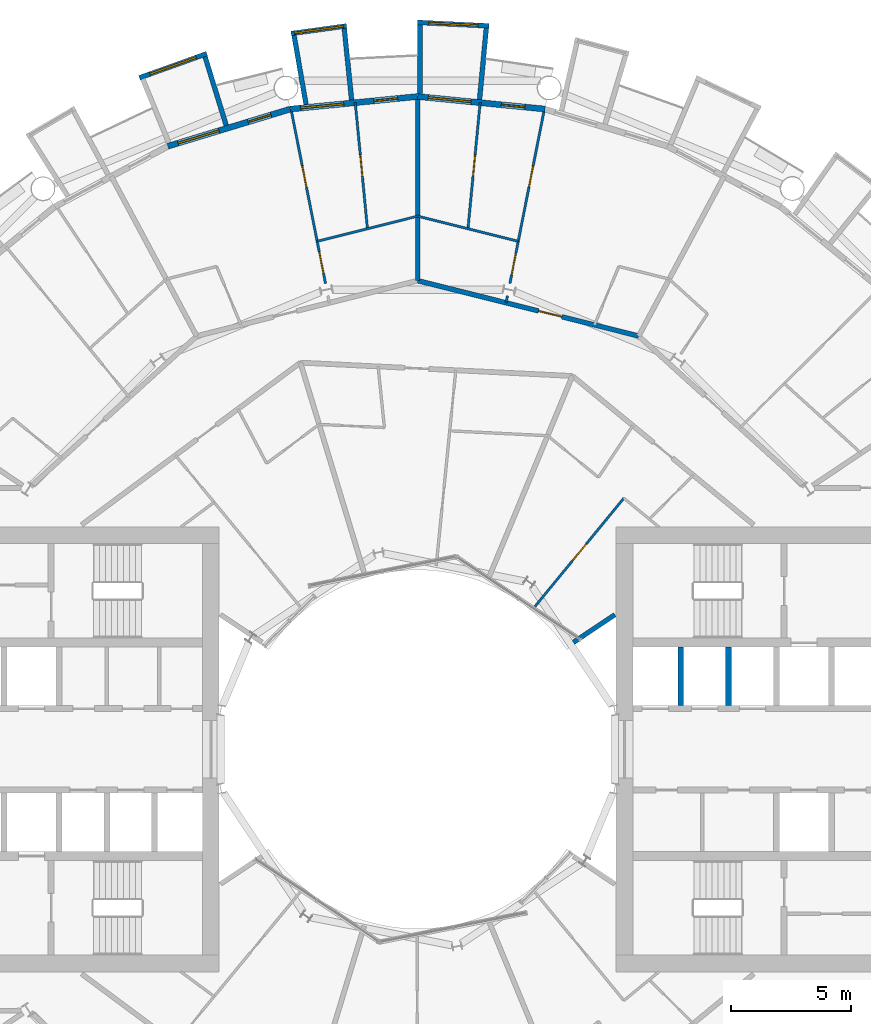
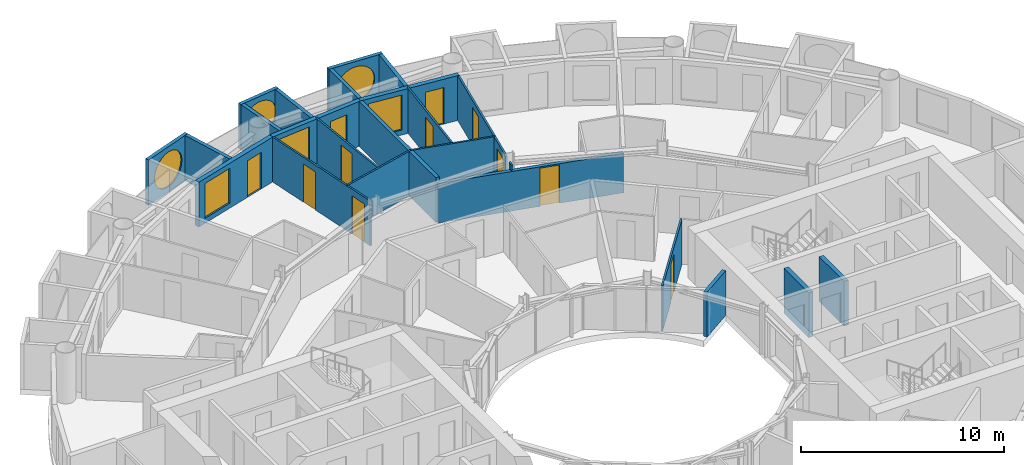
# One storey, part 20 of 26: 24 walls, 11 doors, 6 windows, 17 openings.
"""IFC4 building model written with IfcOpenShell, lengths in metres."""

from ifc_helpers import new_model, si_unit, direction, frame, frame_2d, origin, place, context, subcontext, project, spatial, rectangle, circle, extrude, material, layer, layer_set, type_object, element, fill, save


model = new_model("IFC4")

# Units and contexts
model_context = context("Model", 3, precision=1e-05, world=origin(), true_north=direction((0.0, 1.0)))
body_context = subcontext(model_context, "Body", "Model", "MODEL_VIEW")
ifc_project = project(units=[si_unit("LENGTHUNIT", "METRE"), si_unit("AREAUNIT", "SQUARE_METRE"), si_unit("VOLUMEUNIT", "CUBIC_METRE"), si_unit("PLANEANGLEUNIT", "RADIAN"), si_unit("MASSUNIT", "GRAM", prefix="KILO")], contexts=[model_context])

# Site, building, storey
site_placement = place(None, origin())
site = spatial("IfcSite", under=ifc_project, at=site_placement, CompositionType="ELEMENT")
building_placement = place(site_placement, origin())
building = spatial("IfcBuilding", under=site, at=building_placement, Name="Maasbend Ring Residences", CompositionType="ELEMENT")
storey_placement = place(building_placement, frame((0.0, 0.0, 84.949951171875)))
storey = spatial("IfcBuildingStorey", under=building, at=storey_placement, Name="L24", CompositionType="ELEMENT", Elevation=84.949951171875)

# Wall, opening, door
ifc_material_1 = material(Name="Concrete C30/37", Category="concrete")
ifc_layer_1 = layer(ifc_material_1, 0.199951171875)
ifc_layer_set_1 = layer_set([ifc_layer_1], Name="Concrete C30/37")
wall_type_1 = type_object("IfcWallType", Name="CORRIDOR WALL 200 CONCRETE", PredefinedType="PARTITIONING", material=ifc_layer_set_1)
wall_1_placement = place(storey_placement, frame((0.0, 19.60009765625, 0.0), z_axis=(0.0, 0.0, 1.0), x_axis=(0.970008158324, -0.243072361213, 0.0)))
wall_1 = element("IfcWall", 1, at=wall_1_placement, inside=storey, type_object=wall_type_1, Name="U-L24-w097", PredefinedType="PARTITIONING", context=body_context, shape_type="SweptSolid", body=[
    extrude(rectangle(XDim=9.524658203125, YDim=0.199951171875, at=frame_2d((4.76220703125, 0.0))), origin(), (0.0, 0.0, 1.0), 2.380126953125),
])
opening_1_placement = place(wall_1_placement, frame((5.212890625, 0.0, 0.0)))
opening_1 = element("IfcOpeningElement", 2, at=opening_1_placement, cuts=wall_1, Name="Opening D-2406", PredefinedType="OPENING", context=body_context, shape_type="SweptSolid", body=[
    extrude(rectangle(XDim=1.0, YDim=2.300048828125, at=frame_2d((0.5, 1.14990234375))), frame((0.0, 0.10986328125, 0.0), z_axis=(0.0, -1.0, 0.0), x_axis=(1.0, 0.0, 0.0)), (0.0, 0.0, 1.0), 0.219970703125),
])
ifc_material_2 = material(Name="Timber, fire-rated, painted", Category="wood")
door_type_1 = type_object("IfcDoorType", Name="FLAT ENTRANCE DOOR 1000 X 2300 FIRE-RATED", OperationType="NOTDEFINED", PredefinedType="DOOR", material=ifc_material_2)
door_1_placement = place(opening_1_placement, origin())
door_1 = element("IfcDoor", 3, at=door_1_placement, inside=storey, type_object=door_type_1, Name="D-2406", OperationType="SINGLE_SWING_RIGHT", OverallHeight=2.300048828125, OverallWidth=1.0, PredefinedType="DOOR", context=body_context, shape_type="SweptSolid", body=[
    extrude(rectangle(XDim=1.0, YDim=2.300048828125, at=frame_2d((0.5, 1.14990234375))), frame((0.0, 0.02490234375, 0.0), z_axis=(0.0, -1.0, 0.0), x_axis=(1.0, 0.0, 0.0)), (0.0, 0.0, 1.0), 0.050048828125),
])
fill(opening_1, door_1)

# Wall, opening, window
ifc_material_3 = material(Name="Pale anodised aluminium panel", Category="aluminium")
ifc_layer_2 = layer(ifc_material_3, 0.199951171875)
ifc_layer_set_2 = layer_set([ifc_layer_2], Name="EW-BOX")
wall_type_2 = type_object("IfcWallType", Name="EW-BOX", PredefinedType="SOLIDWALL", material=ifc_layer_set_2)
wall_2_placement = place(storey_placement, frame((2.985107421875, 30.2529296875, -0.030029296875), z_axis=(0.0, 0.0, 1.0), x_axis=(-0.998794083011, 0.049095618353, 0.0)))
wall_2 = element("IfcWall", 4, at=wall_2_placement, inside=storey, type_object=wall_type_2, Name="Box front N10", PredefinedType="SOLIDWALL", context=body_context, shape_type="SweptSolid", body=[
    extrude(rectangle(XDim=2.99365234375, YDim=0.199951171875, at=frame_2d((1.496826171875, 0.0))), origin(), (0.0, 0.0, 1.0), 2.72998046875),
])
opening_2_placement = place(wall_2_placement, frame((0.45654296875, 0.0, 0.330078125)))
opening_2 = element("IfcOpeningElement", 5, at=opening_2_placement, cuts=wall_2, Name="Opening W-RD", PredefinedType="OPENING", context=body_context, shape_type="SweptSolid", body=[
    extrude(circle(Radius=1.0400390625, at=frame_2d((1.0400390625, 1.0400390625))), frame((0.0, 0.10986328125, 0.0), z_axis=(0.0, -1.0, 0.0), x_axis=(1.0, 0.0, 0.0)), (0.0, 0.0, 1.0), 0.219970703125),
])
ifc_material_4 = material(Name="Aluminium and clear glass", Category="aluminium")
window_type_1 = type_object("IfcWindowType", Name="W-RD", PartitioningType="SINGLE_PANEL", PredefinedType="WINDOW", material=ifc_material_4)
window_1_placement = place(opening_2_placement, origin())
window_1 = element("IfcWindow", 6, at=window_1_placement, inside=storey, type_object=window_type_1, Name="Round window N10", OverallHeight=2.080078125, OverallWidth=2.080078125, PartitioningType="SINGLE_PANEL", PredefinedType="WINDOW", context=body_context, shape_type="SweptSolid", body=[
    extrude(circle(Radius=1.0400390625, at=frame_2d((1.0400390625, 1.0400390625))), frame((0.0, 0.030029296875, 0.0), z_axis=(0.0, -1.0, 0.0), x_axis=(1.0, 0.0, 0.0)), (0.0, 0.0, 1.0), 0.06005859375),
])
fill(opening_2, window_1)

# Walls
wall_3_placement = place(storey_placement, frame((2.5859375, 27.1708984375, -0.030029296875), z_axis=(0.0, 0.0, 1.0), x_axis=(0.094548432284, 0.995520262954, 0.0)))
element("IfcWall", 7, at=wall_3_placement, inside=storey, type_object=wall_type_2, Name="Box side wall N10 left", PredefinedType="SOLIDWALL", context=body_context, shape_type="SweptSolid", body=[
    extrude(rectangle(XDim=3.005615234375, YDim=0.199951171875, at=frame_2d((1.5029296875, 0.0))), origin(), (0.0, 0.0, 1.0), 2.72998046875),
])
wall_4_placement = place(storey_placement, frame((0.090087890625, 27.4169921875, -0.030029296875), z_axis=(0.0, 0.0, 1.0), x_axis=(0.00347308367, 0.999993968827, 0.0)))
element("IfcWall", 8, at=wall_4_placement, inside=storey, type_object=wall_type_2, Name="Box side wall N10 right", PredefinedType="SOLIDWALL", context=body_context, shape_type="SweptSolid", body=[
    extrude(rectangle(XDim=2.882080078125, YDim=0.199951171875, at=frame_2d((1.44091796875, 0.0))), origin(), (0.0, 0.0, 1.0), 2.72998046875),
])

# Wall, opening, window
wall_5_placement = place(storey_placement, frame((-2.97607421875, 30.25390625, -0.030029296875), z_axis=(0.0, 0.0, 1.0), x_axis=(-0.990696111261, -0.136092671119, 0.0)))
wall_5 = element("IfcWall", 9, at=wall_5_placement, inside=storey, type_object=wall_type_2, Name="Box front N12", PredefinedType="SOLIDWALL", context=body_context, shape_type="SweptSolid", body=[
    extrude(rectangle(XDim=2.335693359375, YDim=0.199951171875, at=frame_2d((1.16796875, 0.0))), origin(), (0.0, 0.0, 1.0), 2.72998046875),
])
opening_3_placement = place(wall_5_placement, frame((0.128173828125, 0.0, 0.330078125)))
opening_3 = element("IfcOpeningElement", 10, at=opening_3_placement, cuts=wall_5, Name="Opening W-RD", PredefinedType="OPENING", context=body_context, shape_type="SweptSolid", body=[
    extrude(circle(Radius=1.0400390625, at=frame_2d((1.0400390625, 1.0400390625))), frame((0.0, 0.10986328125, 0.0), z_axis=(0.0, -1.0, 0.0), x_axis=(1.0, 0.0, 0.0)), (0.0, 0.0, 1.0), 0.219970703125),
])
window_2_placement = place(opening_3_placement, origin())
window_2 = element("IfcWindow", 11, at=window_2_placement, inside=storey, type_object=window_type_1, Name="Round window N12", OverallHeight=2.080078125, OverallWidth=2.080078125, PartitioningType="SINGLE_PANEL", PredefinedType="WINDOW", context=body_context, shape_type="SweptSolid", body=[
    extrude(circle(Radius=1.0400390625, at=frame_2d((1.0400390625, 1.0400390625))), frame((0.0, 0.030029296875, 0.0), z_axis=(0.0, -1.0, 0.0), x_axis=(1.0, 0.0, 0.0)), (0.0, 0.0, 1.0), 0.06005859375),
])
fill(opening_3, window_2)

# Walls
wall_6_placement = place(storey_placement, frame((-2.763916015625, 27.153076171875, -0.030029296875), z_axis=(0.0, 0.0, 1.0), x_axis=(-0.101505487237, 0.994834979311, 0.0)))
element("IfcWall", 12, at=wall_6_placement, inside=storey, type_object=wall_type_2, Name="Box side wall N12 left", PredefinedType="SOLIDWALL", context=body_context, shape_type="SweptSolid", body=[
    extrude(rectangle(XDim=3.006591796875, YDim=0.199951171875, at=frame_2d((1.50341796875, 0.0))), origin(), (0.0, 0.0, 1.0), 2.72998046875),
])
wall_7_placement = place(storey_placement, frame((-4.6708984375, 26.966064453125, -0.030029296875), z_axis=(0.0, 0.0, 1.0), x_axis=(-0.170539878907, 0.985350774954, 0.0)))
element("IfcWall", 13, at=wall_7_placement, inside=storey, type_object=wall_type_2, Name="Box side wall N12 right", PredefinedType="SOLIDWALL", context=body_context, shape_type="SweptSolid", body=[
    extrude(rectangle(XDim=2.931884765625, YDim=0.199951171875, at=frame_2d((1.4658203125, 0.0))), origin(), (0.0, 0.0, 1.0), 2.72998046875),
])

# Wall, opening, window
wall_8_placement = place(storey_placement, frame((-8.820068359375, 29.093017578125, -0.030029296875), z_axis=(0.0, 0.0, 1.0), x_axis=(-0.941461077774, -0.337121697664, 0.0)))
wall_8 = element("IfcWall", 14, at=wall_8_placement, inside=storey, type_object=wall_type_2, Name="Box front N14", PredefinedType="SOLIDWALL", context=body_context, shape_type="SweptSolid", body=[
    extrude(rectangle(XDim=2.9931640625, YDim=0.199951171875, at=frame_2d((1.49658203125, 0.0))), origin(), (0.0, 0.0, 1.0), 2.72998046875),
])
opening_4_placement = place(wall_8_placement, frame((0.45654296875, 0.0, 0.330078125)))
opening_4 = element("IfcOpeningElement", 15, at=opening_4_placement, cuts=wall_8, Name="Opening W-RD", PredefinedType="OPENING", context=body_context, shape_type="SweptSolid", body=[
    extrude(circle(Radius=1.0400390625, at=frame_2d((1.0400390625, 1.0400390625))), frame((0.0, 0.10986328125, 0.0), z_axis=(0.0, -1.0, 0.0), x_axis=(1.0, 0.0, 0.0)), (0.0, 0.0, 1.0), 0.219970703125),
])
window_3_placement = place(opening_4_placement, origin())
window_3 = element("IfcWindow", 16, at=window_3_placement, inside=storey, type_object=window_type_1, Name="Round window N14", OverallHeight=2.080078125, OverallWidth=2.080078125, PartitioningType="SINGLE_PANEL", PredefinedType="WINDOW", context=body_context, shape_type="SweptSolid", body=[
    extrude(circle(Radius=1.0400390625, at=frame_2d((1.0400390625, 1.0400390625))), frame((0.0, 0.030029296875, 0.0), z_axis=(0.0, -1.0, 0.0), x_axis=(1.0, 0.0, 0.0)), (0.0, 0.0, 1.0), 0.06005859375),
])
fill(opening_4, window_3)

# Wall
wall_9_placement = place(storey_placement, frame((-8.009033203125, 26.092041015625, -0.030029296875), z_axis=(0.0, 0.0, 1.0), x_axis=(-0.293406695073, 0.955987715029, 0.0)))
element("IfcWall", 17, at=wall_9_placement, inside=storey, type_object=wall_type_2, Name="Box side wall N14 left", PredefinedType="SOLIDWALL", context=body_context, shape_type="SweptSolid", body=[
    extrude(rectangle(XDim=3.00634765625, YDim=0.199951171875, at=frame_2d((1.503173828125, 0.0))), origin(), (0.0, 0.0, 1.0), 2.72998046875),
])

# Wall, openings, door, window
ifc_material_5 = material(Name="Aluminium clad insulated panel", Category="aluminium")
ifc_layer_3 = layer(ifc_material_5, 0.25)
ifc_layer_set_3 = layer_set([ifc_layer_3], Name="EW-GL")
wall_type_3 = type_object("IfcWallType", Name="EW-GL", PredefinedType="SOLIDWALL", material=ifc_layer_set_3)
wall_10_placement = place(storey_placement, frame((5.325927734375, 26.77490234375, 0.0), z_axis=(0.0, 0.0, 1.0), x_axis=(-0.995173996315, 0.098126026407, 0.0)))
wall_10 = element("IfcWall", 18, at=wall_10_placement, inside=storey, type_object=wall_type_3, Name="External wall N05", PredefinedType="SOLIDWALL", context=body_context, shape_type="SweptSolid", body=[
    extrude(rectangle(XDim=5.351806640625, YDim=0.25, at=frame_2d((2.67578125, 0.0))), origin(), (0.0, 0.0, 1.0), 2.699951171875),
])
opening_5_placement = place(wall_10_placement, frame((0.841064453125, 0.0, 0.0)))
opening_5 = element("IfcOpeningElement", 19, at=opening_5_placement, cuts=wall_10, Name="Opening D-LG", PredefinedType="OPENING", context=body_context, shape_type="SweptSolid", body=[
    extrude(rectangle(XDim=1.0, YDim=2.199951171875, at=frame_2d((0.5, 1.10009765625))), frame((0.0, 0.135009765625, 0.0), z_axis=(0.0, -1.0, 0.0), x_axis=(1.0, 0.0, 0.0)), (0.0, 0.0, 1.0), 0.27001953125),
])
opening_6_placement = place(wall_10_placement, frame((3.110595703125, 0.0, 0.300048828125)))
opening_6 = element("IfcOpeningElement", 20, at=opening_6_placement, cuts=wall_10, Name="Opening W-BX", PredefinedType="OPENING", context=body_context, shape_type="SweptSolid", body=[
    extrude(rectangle(XDim=1.800048828125, YDim=2.10009765625, at=frame_2d((0.89990234375, 1.050048828125))), frame((0.0, 0.135009765625, 0.0), z_axis=(0.0, -1.0, 0.0), x_axis=(1.0, 0.0, 0.0)), (0.0, 0.0, 1.0), 0.27001953125),
])
ifc_material_6 = material(Name="Aluminium and clear glass", Category="aluminium")
door_type_2 = type_object("IfcDoorType", Name="D-LG", OperationType="SINGLE_SWING_LEFT", PredefinedType="DOOR", material=ifc_material_6)
door_2_placement = place(opening_5_placement, origin())
door_2 = element("IfcDoor", 21, at=door_2_placement, inside=storey, type_object=door_type_2, Name="Loggia door N09", OperationType="SINGLE_SWING_LEFT", OverallHeight=2.199951171875, OverallWidth=1.0, PredefinedType="DOOR", context=body_context, shape_type="SweptSolid", body=[
    extrude(rectangle(XDim=1.0, YDim=2.199951171875, at=frame_2d((0.5, 1.10009765625))), frame((0.0, 0.02490234375, 0.0), z_axis=(0.0, -1.0, 0.0), x_axis=(1.0, 0.0, 0.0)), (0.0, 0.0, 1.0), 0.050048828125),
])
fill(opening_5, door_2)
ifc_material_7 = material(Name="Aluminium and clear glass", Category="aluminium")
window_type_2 = type_object("IfcWindowType", Name="W-BX", PartitioningType="DOUBLE_PANEL_VERTICAL", PredefinedType="WINDOW", material=ifc_material_7)
window_4_placement = place(opening_6_placement, origin())
window_4 = element("IfcWindow", 22, at=window_4_placement, inside=storey, type_object=window_type_2, Name="Window N10 room to box", OverallHeight=2.10009765625, OverallWidth=1.800048828125, PartitioningType="SINGLE_PANEL", PredefinedType="WINDOW", context=body_context, shape_type="SweptSolid", body=[
    extrude(rectangle(XDim=1.800048828125, YDim=2.10009765625, at=frame_2d((0.89990234375, 1.050048828125))), frame((0.0, 0.030029296875, 0.0), z_axis=(0.0, -1.0, 0.0), x_axis=(1.0, 0.0, 0.0)), (0.0, 0.0, 1.0), 0.06005859375),
])
fill(opening_6, window_4)

wall_11_placement = place(storey_placement, frame((0.0, 27.300048828125, 0.0), z_axis=(0.0, 0.0, 1.0), x_axis=(-0.995173996315, -0.098126026407, 0.0)))
wall_11 = element("IfcWall", 23, at=wall_11_placement, inside=storey, type_object=wall_type_3, Name="External wall N06", PredefinedType="SOLIDWALL", context=body_context, shape_type="SweptSolid", body=[
    extrude(rectangle(XDim=5.351806640625, YDim=0.25, at=frame_2d((2.67578125, 0.0))), origin(), (0.0, 0.0, 1.0), 2.699951171875),
])
opening_7_placement = place(wall_11_placement, frame((0.841064453125, 0.0, 0.0)))
opening_7 = element("IfcOpeningElement", 24, at=opening_7_placement, cuts=wall_11, Name="Opening D-LG", PredefinedType="OPENING", context=body_context, shape_type="SweptSolid", body=[
    extrude(rectangle(XDim=1.0, YDim=2.199951171875, at=frame_2d((0.5, 1.10009765625))), frame((0.0, 0.135009765625, 0.0), z_axis=(0.0, -1.0, 0.0), x_axis=(1.0, 0.0, 0.0)), (0.0, 0.0, 1.0), 0.27001953125),
])
opening_8_placement = place(wall_11_placement, frame((3.110595703125, 0.0, 0.300048828125)))
opening_8 = element("IfcOpeningElement", 25, at=opening_8_placement, cuts=wall_11, Name="Opening W-BX", PredefinedType="OPENING", context=body_context, shape_type="SweptSolid", body=[
    extrude(rectangle(XDim=1.800048828125, YDim=2.10009765625, at=frame_2d((0.89990234375, 1.050048828125))), frame((0.0, 0.135009765625, 0.0), z_axis=(0.0, -1.0, 0.0), x_axis=(1.0, 0.0, 0.0)), (0.0, 0.0, 1.0), 0.27001953125),
])
door_3_placement = place(opening_7_placement, origin())
door_3 = element("IfcDoor", 26, at=door_3_placement, inside=storey, type_object=door_type_2, Name="Loggia door N11", OperationType="SINGLE_SWING_LEFT", OverallHeight=2.199951171875, OverallWidth=1.0, PredefinedType="DOOR", context=body_context, shape_type="SweptSolid", body=[
    extrude(rectangle(XDim=1.0, YDim=2.199951171875, at=frame_2d((0.5, 1.10009765625))), frame((0.0, 0.02490234375, 0.0), z_axis=(0.0, -1.0, 0.0), x_axis=(1.0, 0.0, 0.0)), (0.0, 0.0, 1.0), 0.050048828125),
])
fill(opening_7, door_3)
window_5_placement = place(opening_8_placement, origin())
window_5 = element("IfcWindow", 27, at=window_5_placement, inside=storey, type_object=window_type_2, Name="Window N12 room to box", OverallHeight=2.10009765625, OverallWidth=1.800048828125, PartitioningType="SINGLE_PANEL", PredefinedType="WINDOW", context=body_context, shape_type="SweptSolid", body=[
    extrude(rectangle(XDim=1.800048828125, YDim=2.10009765625, at=frame_2d((0.89990234375, 1.050048828125))), frame((0.0, 0.030029296875, 0.0), z_axis=(0.0, -1.0, 0.0), x_axis=(1.0, 0.0, 0.0)), (0.0, 0.0, 1.0), 0.06005859375),
])
fill(opening_8, window_5)

wall_12_placement = place(storey_placement, frame((-5.325927734375, 26.77490234375, 0.0), z_axis=(0.0, 0.0, 1.0), x_axis=(-0.956965678721, -0.290201119486, 0.0)))
wall_12 = element("IfcWall", 28, at=wall_12_placement, inside=storey, type_object=wall_type_3, Name="External wall N07", PredefinedType="SOLIDWALL", context=body_context, shape_type="SweptSolid", body=[
    extrude(rectangle(XDim=5.351318359375, YDim=0.25, at=frame_2d((2.67578125, 0.0))), origin(), (0.0, 0.0, 1.0), 2.699951171875),
])
opening_9_placement = place(wall_12_placement, frame((0.841064453125, 0.0, 0.0)))
opening_9 = element("IfcOpeningElement", 29, at=opening_9_placement, cuts=wall_12, Name="Opening D-LG", PredefinedType="OPENING", context=body_context, shape_type="SweptSolid", body=[
    extrude(rectangle(XDim=1.0, YDim=2.199951171875, at=frame_2d((0.5, 1.10009765625))), frame((0.0, 0.135009765625, 0.0), z_axis=(0.0, -1.0, 0.0), x_axis=(1.0, 0.0, 0.0)), (0.0, 0.0, 1.0), 0.27001953125),
])
opening_10_placement = place(wall_12_placement, frame((3.110595703125, 0.0, 0.300048828125)))
opening_10 = element("IfcOpeningElement", 30, at=opening_10_placement, cuts=wall_12, Name="Opening W-BX", PredefinedType="OPENING", context=body_context, shape_type="SweptSolid", body=[
    extrude(rectangle(XDim=1.800048828125, YDim=2.10009765625, at=frame_2d((0.89990234375, 1.050048828125))), frame((0.0, 0.135009765625, 0.0), z_axis=(0.0, -1.0, 0.0), x_axis=(1.0, 0.0, 0.0)), (0.0, 0.0, 1.0), 0.27001953125),
])
door_4_placement = place(opening_9_placement, origin())
door_4 = element("IfcDoor", 31, at=door_4_placement, inside=storey, type_object=door_type_2, Name="Loggia door N13", OperationType="SINGLE_SWING_LEFT", OverallHeight=2.199951171875, OverallWidth=1.0, PredefinedType="DOOR", context=body_context, shape_type="SweptSolid", body=[
    extrude(rectangle(XDim=1.0, YDim=2.199951171875, at=frame_2d((0.5, 1.10009765625))), frame((0.0, 0.02490234375, 0.0), z_axis=(0.0, -1.0, 0.0), x_axis=(1.0, 0.0, 0.0)), (0.0, 0.0, 1.0), 0.050048828125),
])
fill(opening_9, door_4)
window_6_placement = place(opening_10_placement, origin())
window_6 = element("IfcWindow", 32, at=window_6_placement, inside=storey, type_object=window_type_2, Name="Window N14 room to box", OverallHeight=2.10009765625, OverallWidth=1.800048828125, PartitioningType="SINGLE_PANEL", PredefinedType="WINDOW", context=body_context, shape_type="SweptSolid", body=[
    extrude(rectangle(XDim=1.800048828125, YDim=2.10009765625, at=frame_2d((0.89990234375, 1.050048828125))), frame((0.0, 0.030029296875, 0.0), z_axis=(0.0, -1.0, 0.0), x_axis=(1.0, 0.0, 0.0)), (0.0, 0.0, 1.0), 0.06005859375),
])
fill(opening_10, window_6)

# Wall, openings, doors
ifc_material_8 = material(Name="Gypsum board on steel studs", Category="steel")
ifc_layer_4 = layer(ifc_material_8, 0.10009765625)
ifc_layer_set_4 = layer_set([ifc_layer_4], Name="PARTITION 100 GYPSUM")
wall_type_4 = type_object("IfcWallType", Name="PARTITION 100 GYPSUM", PredefinedType="PARTITIONING", material=ifc_layer_set_4)
wall_13_placement = place(storey_placement, frame((-5.27490234375, 26.657958984375, 0.0), z_axis=(0.0, 0.0, 1.0), x_axis=(0.194029176446, -0.980995758751, 0.0)))
wall_13 = element("IfcWall", 33, at=wall_13_placement, inside=storey, type_object=wall_type_4, Name="U-L24-w045", PredefinedType="PARTITIONING", context=body_context, shape_type="SweptSolid", body=[
    extrude(rectangle(XDim=7.31298828125, YDim=0.10009765625, at=frame_2d((3.656494140625, 0.0))), origin(), (0.0, 0.0, 1.0), 2.699951171875),
])
opening_11_placement = place(wall_13_placement, frame((5.966064453125, 0.0, 0.0)))
opening_11 = element("IfcOpeningElement", 34, at=opening_11_placement, cuts=wall_13, Name="Opening D-2413", PredefinedType="OPENING", context=body_context, shape_type="SweptSolid", body=[
    extrude(rectangle(XDim=0.89990234375, YDim=2.300048828125, at=frame_2d((0.449951171875, 1.14990234375))), frame((0.0, 0.06005859375, 0.0), z_axis=(0.0, -1.0, 0.0), x_axis=(1.0, 0.0, 0.0)), (0.0, 0.0, 1.0), 0.1201171875),
])
opening_12_placement = place(wall_13_placement, frame((2.306884765625, 0.0, 0.0)))
opening_12 = element("IfcOpeningElement", 35, at=opening_12_placement, cuts=wall_13, Name="Opening D-2414", PredefinedType="OPENING", context=body_context, shape_type="SweptSolid", body=[
    extrude(rectangle(XDim=0.89990234375, YDim=2.300048828125, at=frame_2d((0.449951171875, 1.14990234375))), frame((0.0, 0.06005859375, 0.0), z_axis=(0.0, -1.0, 0.0), x_axis=(1.0, 0.0, 0.0)), (0.0, 0.0, 1.0), 0.1201171875),
])
ifc_material_9 = material(Name="Timber, painted", Category="wood")
door_type_3 = type_object("IfcDoorType", Name="INTERNAL DOOR 900 X 2300", OperationType="NOTDEFINED", PredefinedType="DOOR", material=ifc_material_9)
door_5_placement = place(opening_11_placement, origin())
door_5 = element("IfcDoor", 36, at=door_5_placement, inside=storey, type_object=door_type_3, Name="D-2413", OperationType="SINGLE_SWING_RIGHT", OverallHeight=2.300048828125, OverallWidth=0.89990234375, PredefinedType="DOOR", context=body_context, shape_type="SweptSolid", body=[
    extrude(rectangle(XDim=0.89990234375, YDim=2.300048828125, at=frame_2d((0.449951171875, 1.14990234375))), frame((0.0, 0.02490234375, 0.0), z_axis=(0.0, -1.0, 0.0), x_axis=(1.0, 0.0, 0.0)), (0.0, 0.0, 1.0), 0.050048828125),
])
fill(opening_11, door_5)
door_6_placement = place(opening_12_placement, origin())
door_6 = element("IfcDoor", 37, at=door_6_placement, inside=storey, type_object=door_type_3, Name="D-2414", OperationType="SINGLE_SWING_LEFT", OverallHeight=2.300048828125, OverallWidth=0.89990234375, PredefinedType="DOOR", context=body_context, shape_type="SweptSolid", body=[
    extrude(rectangle(XDim=0.89990234375, YDim=2.300048828125, at=frame_2d((0.449951171875, 1.14990234375))), frame((0.0, 0.02490234375, 0.0), z_axis=(0.0, -1.0, 0.0), x_axis=(1.0, 0.0, 0.0)), (0.0, 0.0, 1.0), 0.050048828125),
])
fill(opening_12, door_6)

# Wall, opening, door
wall_14_placement = place(storey_placement, frame((-2.612060546875, 27.049072265625, 0.0), z_axis=(0.0, 0.0, 1.0), x_axis=(0.096215269366, -0.995360548716, 0.0)))
wall_14 = element("IfcWall", 38, at=wall_14_placement, inside=storey, type_object=wall_type_4, Name="U-L24-w049", PredefinedType="PARTITIONING", context=body_context, shape_type="SweptSolid", body=[
    extrude(rectangle(XDim=5.30078125, YDim=0.10009765625, at=frame_2d((2.650390625, 0.0))), origin(), (0.0, 0.0, 1.0), 2.699951171875),
])
opening_13_placement = place(wall_14_placement, frame((2.199951171875, 0.0, 0.0)))
opening_13 = element("IfcOpeningElement", 39, at=opening_13_placement, cuts=wall_14, Name="Opening D-2415", PredefinedType="OPENING", context=body_context, shape_type="SweptSolid", body=[
    extrude(rectangle(XDim=0.89990234375, YDim=2.300048828125, at=frame_2d((0.449951171875, 1.14990234375))), frame((0.0, 0.06005859375, 0.0), z_axis=(0.0, -1.0, 0.0), x_axis=(1.0, 0.0, 0.0)), (0.0, 0.0, 1.0), 0.1201171875),
])
door_7_placement = place(opening_13_placement, origin())
door_7 = element("IfcDoor", 40, at=door_7_placement, inside=storey, type_object=door_type_3, Name="D-2415", OperationType="SINGLE_SWING_LEFT", OverallHeight=2.300048828125, OverallWidth=0.89990234375, PredefinedType="DOOR", context=body_context, shape_type="SweptSolid", body=[
    extrude(rectangle(XDim=0.89990234375, YDim=2.300048828125, at=frame_2d((0.449951171875, 1.14990234375))), frame((0.0, 0.02490234375, 0.0), z_axis=(0.0, -1.0, 0.0), x_axis=(1.0, 0.0, 0.0)), (0.0, 0.0, 1.0), 0.050048828125),
])
fill(opening_13, door_7)

wall_15_placement = place(storey_placement, frame((2.10205078125, 21.77294921875, 0.0), z_axis=(0.0, 0.0, 1.0), x_axis=(0.096215269366, 0.995360548716, 0.0)))
wall_15 = element("IfcWall", 41, at=wall_15_placement, inside=storey, type_object=wall_type_4, Name="U-L24-w057", PredefinedType="PARTITIONING", context=body_context, shape_type="SweptSolid", body=[
    extrude(rectangle(XDim=5.30078125, YDim=0.10009765625, at=frame_2d((2.650390625, 0.0))), origin(), (0.0, 0.0, 1.0), 2.699951171875),
])
opening_14_placement = place(wall_15_placement, frame((2.199951171875, 0.0, 0.0)))
opening_14 = element("IfcOpeningElement", 42, at=opening_14_placement, cuts=wall_15, Name="Opening D-2410", PredefinedType="OPENING", context=body_context, shape_type="SweptSolid", body=[
    extrude(rectangle(XDim=0.89990234375, YDim=2.300048828125, at=frame_2d((0.449951171875, 1.14990234375))), frame((0.0, 0.06005859375, 0.0), z_axis=(0.0, -1.0, 0.0), x_axis=(1.0, 0.0, 0.0)), (0.0, 0.0, 1.0), 0.1201171875),
])
door_8_placement = place(opening_14_placement, origin())
door_8 = element("IfcDoor", 43, at=door_8_placement, inside=storey, type_object=door_type_3, Name="D-2410", OperationType="SINGLE_SWING_RIGHT", OverallHeight=2.300048828125, OverallWidth=0.89990234375, PredefinedType="DOOR", context=body_context, shape_type="SweptSolid", body=[
    extrude(rectangle(XDim=0.89990234375, YDim=2.300048828125, at=frame_2d((0.449951171875, 1.14990234375))), frame((0.0, 0.02490234375, 0.0), z_axis=(0.0, -1.0, 0.0), x_axis=(1.0, 0.0, 0.0)), (0.0, 0.0, 1.0), 0.050048828125),
])
fill(opening_14, door_8)

# Wall
wall_16_placement = place(storey_placement, frame((3.696044921875, 18.674072265625, 0.0), z_axis=(0.0, 0.0, 1.0), x_axis=(0.19502665362, 0.980797942686, 0.0)))
element("IfcWall", 44, at=wall_16_placement, inside=storey, type_object=wall_type_4, Name="U-L24-w061", PredefinedType="PARTITIONING", context=body_context, shape_type="SweptSolid", body=[
    extrude(rectangle(XDim=0.3017578125, YDim=0.10009765625, at=frame_2d((0.15087890625, 0.0))), origin(), (0.0, 0.0, 1.0), 2.699951171875),
])

# Wall, openings, doors
wall_17_placement = place(storey_placement, frame((3.85595703125, 19.48388671875, 0.0), z_axis=(0.0, 0.0, 1.0), x_axis=(0.193900661819, 0.981021168654, 0.0)))
wall_17 = element("IfcWall", 45, at=wall_17_placement, inside=storey, type_object=wall_type_4, Name="U-L24-w062", PredefinedType="PARTITIONING", context=body_context, shape_type="SweptSolid", body=[
    extrude(rectangle(XDim=7.312744140625, YDim=0.10009765625, at=frame_2d((3.65625, 0.0))), origin(), (0.0, 0.0, 1.0), 2.699951171875),
])
opening_15_placement = place(wall_17_placement, frame((0.3740234375, 0.0, 0.0)))
opening_15 = element("IfcOpeningElement", 46, at=opening_15_placement, cuts=wall_17, Name="Opening D-2408", PredefinedType="OPENING", context=body_context, shape_type="SweptSolid", body=[
    extrude(rectangle(XDim=0.89990234375, YDim=2.300048828125, at=frame_2d((0.449951171875, 1.14990234375))), frame((0.0, 0.06005859375, 0.0), z_axis=(0.0, -1.0, 0.0), x_axis=(1.0, 0.0, 0.0)), (0.0, 0.0, 1.0), 0.1201171875),
])
opening_16_placement = place(wall_17_placement, frame((4.10498046875, 0.0, 0.0)))
opening_16 = element("IfcOpeningElement", 47, at=opening_16_placement, cuts=wall_17, Name="Opening D-2409", PredefinedType="OPENING", context=body_context, shape_type="SweptSolid", body=[
    extrude(rectangle(XDim=0.89990234375, YDim=2.300048828125, at=frame_2d((0.449951171875, 1.14990234375))), frame((0.0, 0.06005859375, 0.0), z_axis=(0.0, -1.0, 0.0), x_axis=(1.0, 0.0, 0.0)), (0.0, 0.0, 1.0), 0.1201171875),
])
door_9_placement = place(opening_15_placement, origin())
door_9 = element("IfcDoor", 48, at=door_9_placement, inside=storey, type_object=door_type_3, Name="D-2408", OperationType="SINGLE_SWING_LEFT", OverallHeight=2.300048828125, OverallWidth=0.89990234375, PredefinedType="DOOR", context=body_context, shape_type="SweptSolid", body=[
    extrude(rectangle(XDim=0.89990234375, YDim=2.300048828125, at=frame_2d((0.449951171875, 1.14990234375))), frame((0.0, 0.02490234375, 0.0), z_axis=(0.0, -1.0, 0.0), x_axis=(1.0, 0.0, 0.0)), (0.0, 0.0, 1.0), 0.050048828125),
])
fill(opening_15, door_9)
door_10_placement = place(opening_16_placement, origin())
door_10 = element("IfcDoor", 49, at=door_10_placement, inside=storey, type_object=door_type_3, Name="D-2409", OperationType="SINGLE_SWING_RIGHT", OverallHeight=2.300048828125, OverallWidth=0.89990234375, PredefinedType="DOOR", context=body_context, shape_type="SweptSolid", body=[
    extrude(rectangle(XDim=0.89990234375, YDim=2.300048828125, at=frame_2d((0.449951171875, 1.14990234375))), frame((0.0, 0.02490234375, 0.0), z_axis=(0.0, -1.0, 0.0), x_axis=(1.0, 0.0, 0.0)), (0.0, 0.0, 1.0), 0.050048828125),
])
fill(opening_16, door_10)

# Wall, opening, door
wall_18_placement = place(storey_placement, frame((4.89794921875, 5.968017578125, 0.0), z_axis=(0.0, 0.0, 1.0), x_axis=(0.634358693064, 0.773038840249, 0.0)))
wall_18 = element("IfcWall", 50, at=wall_18_placement, inside=storey, type_object=wall_type_4, Name="U-L24-w064", PredefinedType="PARTITIONING", context=body_context, shape_type="SweptSolid", body=[
    extrude(rectangle(XDim=5.86767578125, YDim=0.10009765625, at=frame_2d((2.933837890625, 0.0))), origin(), (0.0, 0.0, 1.0), 2.699951171875),
])
opening_17_placement = place(wall_18_placement, frame((2.48388671875, 0.0, 0.0)))
opening_17 = element("IfcOpeningElement", 51, at=opening_17_placement, cuts=wall_18, Name="Opening D-2424", PredefinedType="OPENING", context=body_context, shape_type="SweptSolid", body=[
    extrude(rectangle(XDim=0.89990234375, YDim=2.300048828125, at=frame_2d((0.449951171875, 1.14990234375))), frame((0.0, 0.06005859375, 0.0), z_axis=(0.0, -1.0, 0.0), x_axis=(1.0, 0.0, 0.0)), (0.0, 0.0, 1.0), 0.1201171875),
])
door_11_placement = place(opening_17_placement, origin())
door_11 = element("IfcDoor", 52, at=door_11_placement, inside=storey, type_object=door_type_3, Name="D-2424", OperationType="SINGLE_SWING_RIGHT", OverallHeight=2.300048828125, OverallWidth=0.89990234375, PredefinedType="DOOR", context=body_context, shape_type="SweptSolid", body=[
    extrude(rectangle(XDim=0.89990234375, YDim=2.300048828125, at=frame_2d((0.449951171875, 1.14990234375))), frame((0.0, 0.02490234375, 0.0), z_axis=(0.0, -1.0, 0.0), x_axis=(1.0, 0.0, 0.0)), (0.0, 0.0, 1.0), 0.050048828125),
])
fill(opening_17, door_11)

# Walls
for number, where, z_axis, x_axis, name in (
    (53, (-4.20703125, 21.2451171875, 0.0), (0.0, 0.0, 1.0), (0.970106148391, 0.24268098577, 0.0), "U-L24-w102"),
    (54, (-0.010009765625, 22.300048828125, 0.0), (0.0, 0.0, 1.0), (0.970106148391, -0.24268098577, 0.0), "U-L24-w103"),
):
    element("IfcWall", number, at=place(storey_placement, frame(where, z_axis=z_axis, x_axis=x_axis)), inside=storey, type_object=wall_type_4, Name=name, PredefinedType="PARTITIONING", context=body_context, shape_type="SweptSolid", body=[
        extrude(rectangle(XDim=4.346923828125, YDim=0.10009765625, at=frame_2d((2.17333984375, 0.0))), origin(), (0.0, 0.0, 1.0), 2.699951171875),
    ])
ifc_material_10 = material(Name="Concrete C30/37", Category="concrete")
ifc_layer_5 = layer(ifc_material_10, 0.199951171875)
ifc_layer_set_5 = layer_set([ifc_layer_5], Name="Concrete C30/37")
wall_type_5 = type_object("IfcWallType", Name="PARTY WALL 200 CONCRETE", PredefinedType="PARTITIONING", material=ifc_layer_set_5)
wall_19_placement = place(storey_placement, frame((0.0, 19.60009765625, 0.0), z_axis=(0.0, 0.0, 1.0), x_axis=(0.0, 1.0, 0.0)))
element("IfcWall", 55, at=wall_19_placement, inside=storey, type_object=wall_type_5, Name="U-L24-w054", PredefinedType="PARTITIONING", context=body_context, shape_type="SweptSolid", body=[
    extrude(rectangle(XDim=7.574951171875, YDim=0.199951171875, at=frame_2d((3.78759765625, 0.0))), origin(), (0.0, 0.0, 1.0), 2.699951171875),
])
wall_20_placement = place(storey_placement, frame((6.512939453125, 4.471923828125, 0.0), z_axis=(0.0, 0.0, 1.0), x_axis=(0.831382204863, 0.555701025225, 0.0)))
element("IfcWall", 56, at=wall_20_placement, inside=storey, type_object=wall_type_5, Name="U-L24-w083", PredefinedType="PARTITIONING", context=body_context, shape_type="SweptSolid", body=[
    extrude(rectangle(XDim=2.08203125, YDim=0.199951171875, at=frame_2d((1.041015625, 0.0))), origin(), (0.0, 0.0, 1.0), 2.699951171875),
])
ifc_material_11 = material(Name="Concrete C30/37", Category="concrete")
ifc_layer_6 = layer(ifc_material_11, 0.25)
ifc_layer_set_6 = layer_set([ifc_layer_6], Name="Concrete C30/37")
wall_type_6 = type_object("IfcWallType", Name="SHAFT WALL 250 EI 120", PredefinedType="SOLIDWALL", material=ifc_layer_set_6)
for number, where, z_axis, x_axis, name in (
    (57, (11.0, 1.824951171875, 0.0), (0.0, 0.0, 1.0), (0.0, 1.0, 0.0), "L24 core E wall D110N"),
    (58, (13.0, 1.824951171875, 0.0), (0.0, 0.0, 1.0), (0.0, 1.0, 0.0), "L24 core E wall D130N"),
):
    element("IfcWall", number, at=place(storey_placement, frame(where, z_axis=z_axis, x_axis=x_axis)), inside=storey, type_object=wall_type_6, Name=name, PredefinedType="SOLIDWALL", context=body_context, shape_type="SweptSolid", body=[
        extrude(rectangle(XDim=2.449951171875, YDim=0.25, at=frame_2d((1.22509765625, 0.0))), origin(), (0.0, 0.0, 1.0), 2.699951171875),
    ])

save(model, "model.ifc")
